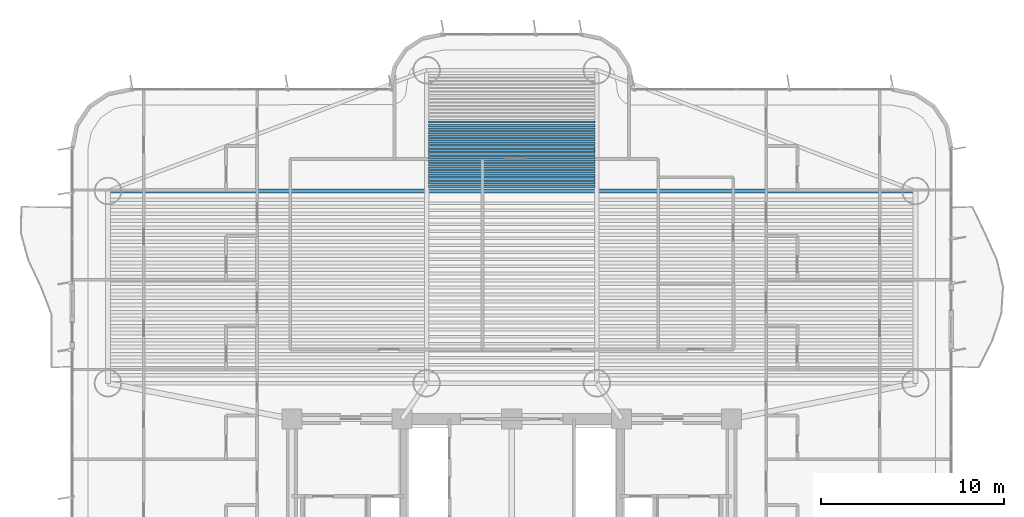
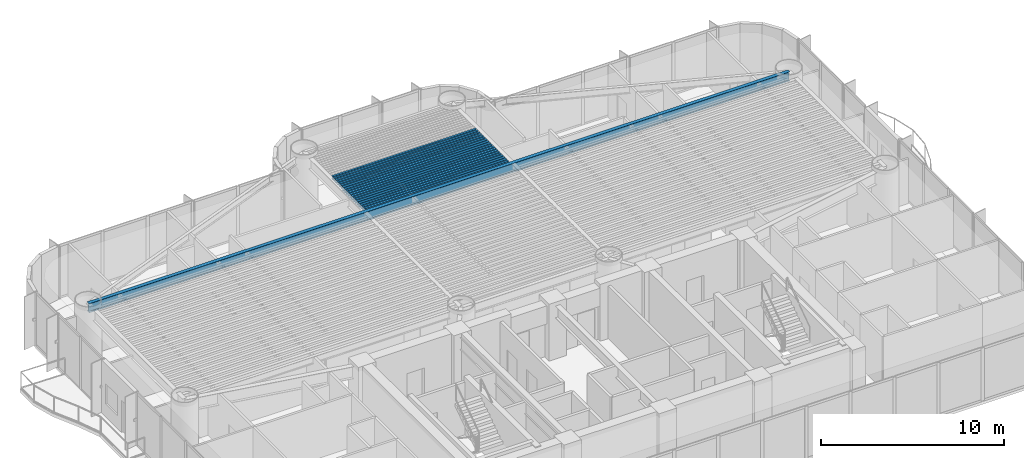
# One storey, part 4 of 19: 20 beams.
"""IFC4 building model written with IfcOpenShell, lengths in metres."""

from ifc_helpers import new_model, si_unit, direction, frame, origin, origin_2d, place, context, subcontext, project, spatial, i_section, extrude, source, transform, mapped, material, material_profile, profile_set, type_object, element, save


model = new_model("IFC4")

# Units and contexts
model_context = context("Model", 3, precision=1e-05, world=origin(), true_north=direction((0.0, 1.0)))
body_context = subcontext(model_context, "Body", "Model", "MODEL_VIEW")
ifc_project = project(units=[si_unit("LENGTHUNIT", "METRE"), si_unit("AREAUNIT", "SQUARE_METRE"), si_unit("VOLUMEUNIT", "CUBIC_METRE"), si_unit("PLANEANGLEUNIT", "RADIAN"), si_unit("MASSUNIT", "GRAM", prefix="KILO")], contexts=[model_context])

# Site, building, storey
site_placement = place(None, origin())
site = spatial("IfcSite", under=ifc_project, at=site_placement, CompositionType="ELEMENT")
building_placement = place(site_placement, origin())
building = spatial("IfcBuilding", under=site, at=building_placement, Name="Brelvock Crest Care Tower", CompositionType="ELEMENT")
storey_placement = place(building_placement, frame((0.0, 0.0, 68.580078125)))
storey = spatial("IfcBuildingStorey", under=building, at=storey_placement, Name="L17", CompositionType="ELEMENT", Elevation=68.580078125)

# Beams
ifc_material = material(Name="Steel Grade 350", Category="steel")
ifc_material_profile_1 = material_profile(ifc_material, i_section(OverallWidth=0.22900390625, OverallDepth=0.612060546875, WebThickness=0.011962890625, FlangeThickness=0.01953125, FilletRadius=0.013916015625, at=origin_2d()), Name="610UB125")
ifc_profile_set_1 = profile_set([ifc_material_profile_1], Name="Steel Grade 350")
beam_type_1 = type_object("IfcBeamType", Name="BM-G1", PredefinedType="BEAM", material=ifc_profile_set_1)
shared_shape_1 = source(origin(), body_context, "Body", "SweptSolid", [
    extrude(i_section(OverallWidth=0.22900390625, OverallDepth=0.612060546875, WebThickness=0.011962890625, FlangeThickness=0.01953125, FilletRadius=0.013916015625, at=origin_2d()), origin(), (0.0, 0.0, 1.0), 44.10009765625),
])
beam_placement = place(storey_placement, frame((13.949951171875, 30.449951171875, 3.223876953125), z_axis=(1.0, 0.0, 0.0), x_axis=(0.0, 1.0, 0.0)))
element("IfcBeam", 1, at=beam_placement, inside=storey, type_object=beam_type_1, Name="BM-TWR-L17-11", PredefinedType="BEAM", context=body_context, shape_type="MappedRepresentation", body=[
    mapped(shared_shape_1, transform((0.0, 0.0, 0.0), x_axis=(1.0, 0.0, 0.0), y_axis=(0.0, 1.0, 0.0), z_axis=(0.0, 0.0, 1.0), scale=1.0)),
])
ifc_material_profile_2 = material_profile(ifc_material, i_section(OverallWidth=0.14599609375, OverallDepth=0.256103515625, WebThickness=0.00634765625, FlangeThickness=0.010986328125, FilletRadius=0.0087890625, at=origin_2d()), Name="250UB37.3")
ifc_profile_set_2 = profile_set([ifc_material_profile_2], Name="Steel Grade 350")
beam_type_2 = type_object("IfcBeamType", Name="BM-J3", PredefinedType="JOIST", material=ifc_profile_set_2)
shared_shape_2 = source(origin(), body_context, "Body", "SweptSolid", [
    extrude(i_section(OverallWidth=0.14599609375, OverallDepth=0.256103515625, WebThickness=0.00634765625, FlangeThickness=0.010986328125, FilletRadius=0.0087890625, at=origin_2d()), origin(), (0.0, 0.0, 1.0), 9.06982421875),
])
for number, where, z_axis, x_axis, name in (
    (2, (31.465087890625, 30.714111328125, 3.40185546875), (1.0, 0.0, 0.0), (0.0, 1.0, 0.0), "BM-JN-L17-1"),
    (3, (31.465087890625, 30.90869140625, 3.40185546875), (1.0, 0.0, 0.0), (0.0, 1.0, 0.0), "BM-JN-L17-2"),
    (4, (31.465087890625, 31.103515625, 3.40185546875), (1.0, 0.0, 0.0), (0.0, 1.0, 0.0), "BM-JN-L17-3"),
    (5, (31.465087890625, 31.298095703125, 3.40185546875), (1.0, 0.0, 0.0), (0.0, 1.0, 0.0), "BM-JN-L17-4"),
    (6, (31.465087890625, 31.492919921875, 3.40185546875), (1.0, 0.0, 0.0), (0.0, 1.0, 0.0), "BM-JN-L17-5"),
    (7, (31.465087890625, 31.6875, 3.40185546875), (1.0, 0.0, 0.0), (0.0, 1.0, 0.0), "BM-JN-L17-6"),
    (8, (31.465087890625, 31.882080078125, 3.40185546875), (1.0, 0.0, 0.0), (0.0, 1.0, 0.0), "BM-JN-L17-7"),
    (9, (31.465087890625, 32.076904296875, 3.40185546875), (1.0, 0.0, 0.0), (0.0, 1.0, 0.0), "BM-JN-L17-8"),
    (10, (31.465087890625, 32.271484375, 3.40185546875), (1.0, 0.0, 0.0), (0.0, 1.0, 0.0), "BM-JN-L17-9"),
    (11, (31.465087890625, 32.46630859375, 3.40185546875), (1.0, 0.0, 0.0), (0.0, 1.0, 0.0), "BM-JN-L17-10"),
    (12, (31.465087890625, 32.660888671875, 3.40185546875), (1.0, 0.0, 0.0), (0.0, 1.0, 0.0), "BM-JN-L17-11"),
    (13, (31.465087890625, 32.855712890625, 3.40185546875), (1.0, 0.0, 0.0), (0.0, 1.0, 0.0), "BM-JN-L17-12"),
    (14, (31.465087890625, 33.05029296875, 3.40185546875), (1.0, 0.0, 0.0), (0.0, 1.0, 0.0), "BM-JN-L17-13"),
):
    element("IfcBeam", number, at=place(storey_placement, frame(where, z_axis=z_axis, x_axis=x_axis)), inside=storey, type_object=beam_type_2, Name=name, PredefinedType="JOIST", context=body_context, shape_type="MappedRepresentation", body=[
        mapped(shared_shape_2, transform((0.0, 0.0, 0.0), x_axis=(1.0, 0.0, 0.0), y_axis=(0.0, 1.0, 0.0), z_axis=(0.0, 0.0, 1.0), scale=1.0)),
    ])
ifc_material_profile_3 = material_profile(ifc_material, i_section(OverallWidth=0.134033203125, OverallDepth=0.20703125, WebThickness=0.00634765625, FlangeThickness=0.009521484375, FilletRadius=0.0087890625, at=origin_2d()), Name="200UB29.8")
ifc_profile_set_3 = profile_set([ifc_material_profile_3], Name="Steel Grade 350")
beam_type_3 = type_object("IfcBeamType", Name="BM-J4", PredefinedType="JOIST", material=ifc_profile_set_3)
shared_shape_3 = source(origin(), body_context, "Body", "SweptSolid", [
    extrude(i_section(OverallWidth=0.134033203125, OverallDepth=0.20703125, WebThickness=0.00634765625, FlangeThickness=0.009521484375, FilletRadius=0.0087890625, at=origin_2d()), origin(), (0.0, 0.0, 1.0), 9.06982421875),
])
for number, where, z_axis, x_axis, name in (
    (15, (31.465087890625, 33.2451171875, 3.426513671875), (1.0, 0.0, 0.0), (0.0, 1.0, 0.0), "BM-JN-L17-14"),
    (16, (31.465087890625, 33.439697265625, 3.426513671875), (1.0, 0.0, 0.0), (0.0, 1.0, 0.0), "BM-JN-L17-15"),
    (17, (31.465087890625, 33.634521484375, 3.426513671875), (1.0, 0.0, 0.0), (0.0, 1.0, 0.0), "BM-JN-L17-16"),
    (18, (31.465087890625, 33.8291015625, 3.426513671875), (1.0, 0.0, 0.0), (0.0, 1.0, 0.0), "BM-JN-L17-17"),
    (19, (31.465087890625, 34.02392578125, 3.426513671875), (1.0, 0.0, 0.0), (0.0, 1.0, 0.0), "BM-JN-L17-18"),
    (20, (31.465087890625, 34.218505859375, 3.426513671875), (1.0, 0.0, 0.0), (0.0, 1.0, 0.0), "BM-JN-L17-19"),
):
    element("IfcBeam", number, at=place(storey_placement, frame(where, z_axis=z_axis, x_axis=x_axis)), inside=storey, type_object=beam_type_3, Name=name, PredefinedType="JOIST", context=body_context, shape_type="MappedRepresentation", body=[
        mapped(shared_shape_3, transform((0.0, 0.0, 0.0), x_axis=(1.0, 0.0, 0.0), y_axis=(0.0, 1.0, 0.0), z_axis=(0.0, 0.0, 1.0), scale=1.0)),
    ])

save(model, "model.ifc")
